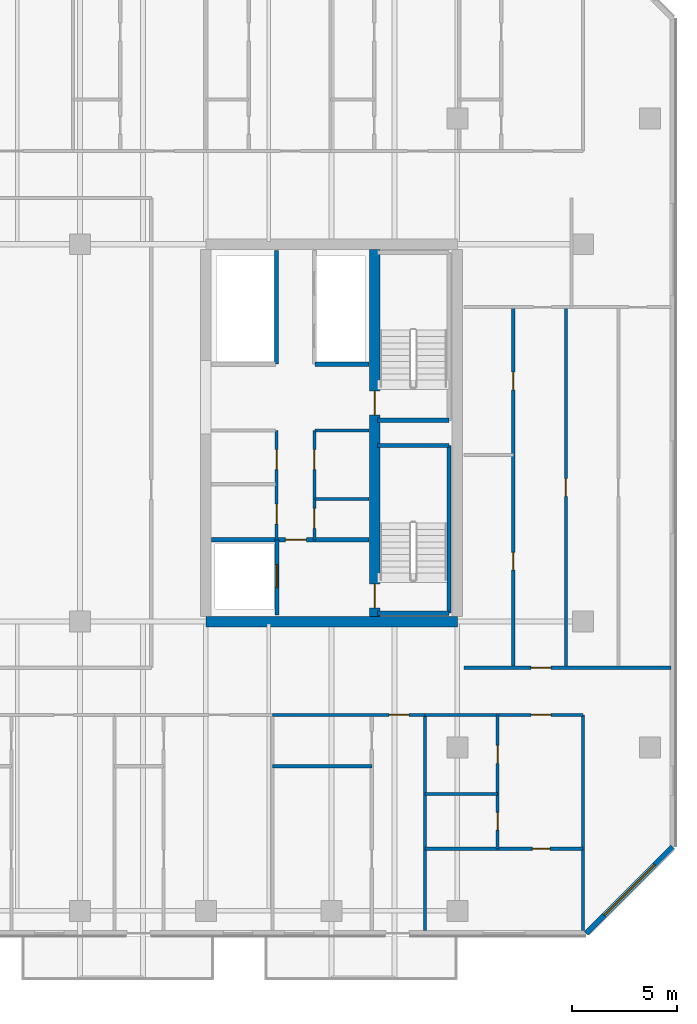
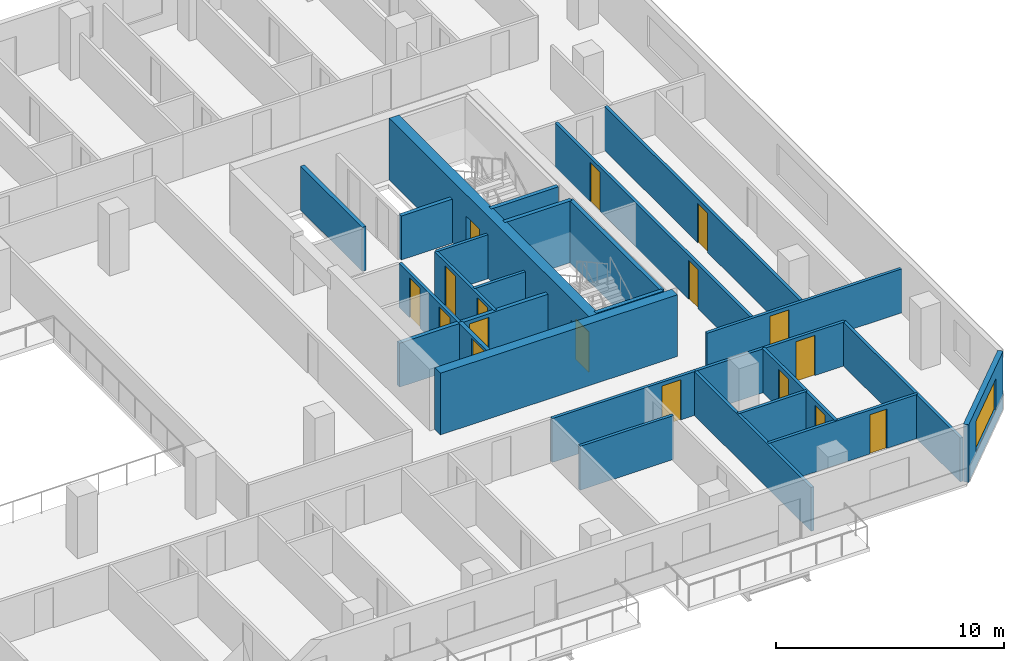
# One storey, part 15 of 23: 26 walls, 17 doors, 1 window, 18 openings.
"""IFC4 building model written with IfcOpenShell, lengths in metres."""

from ifc_helpers import new_model, si_unit, direction, frame, frame_2d, origin, place, context, subcontext, project, spatial, rectangle, extrude, material, layer, layer_set, type_object, element, fill, save


model = new_model("IFC4")

# Units and contexts
model_context = context("Model", 3, precision=1e-05, world=origin(), true_north=direction((0.0, 1.0)))
body_context = subcontext(model_context, "Body", "Model", "MODEL_VIEW")
ifc_project = project(units=[si_unit("LENGTHUNIT", "METRE"), si_unit("AREAUNIT", "SQUARE_METRE"), si_unit("VOLUMEUNIT", "CUBIC_METRE"), si_unit("PLANEANGLEUNIT", "RADIAN"), si_unit("MASSUNIT", "GRAM", prefix="KILO")], contexts=[model_context])

# Site, building, storey
site_placement = place(None, origin())
site = spatial("IfcSite", under=ifc_project, at=site_placement, CompositionType="ELEMENT")
building_placement = place(site_placement, origin())
building = spatial("IfcBuilding", under=site, at=building_placement, Name="Tanjung Sevakor Pilgrim Tower", CompositionType="ELEMENT")
storey_placement = place(building_placement, frame((0.0, 0.0, 98.669921875)))
storey = spatial("IfcBuildingStorey", under=building, at=storey_placement, Name="L27", CompositionType="ELEMENT", Elevation=98.669921875)

# Wall
ifc_material_1 = material(Name="Concrete C60/75", Category="concrete")
ifc_layer_1 = layer(ifc_material_1, 0.5)
ifc_layer_set_1 = layer_set([ifc_layer_1], Name="WALL-CW-500")
wall_type_1 = type_object("IfcWallType", Name="WALL-CW-500", PredefinedType="SHEAR", material=ifc_layer_set_1)
wall_1_placement = place(storey_placement, frame((78.0, 24.60009765625, 0.0), z_axis=(0.0, 0.0, 1.0), x_axis=(1.0, 0.0, 0.0)))
element("IfcWall", 1, at=wall_1_placement, inside=storey, type_object=wall_type_1, Name="L27 E Core South Shear Wall", PredefinedType="SHEAR", context=body_context, shape_type="SweptSolid", body=[
    extrude(rectangle(XDim=12.0, YDim=0.5, at=frame_2d((6.0, 0.0))), origin(), (0.0, 0.0, 1.0), 3.300048828125),
])

# Wall, openings, doors
wall_2_placement = place(storey_placement, frame((86.050048828125, 24.85009765625, 0.0), z_axis=(0.0, 0.0, 1.0), x_axis=(0.0, 1.0, 0.0)))
wall_2 = element("IfcWall", 2, at=wall_2_placement, inside=storey, type_object=wall_type_1, Name="L27 E Core Stair Spine Wall", PredefinedType="SHEAR", context=body_context, shape_type="SweptSolid", body=[
    extrude(rectangle(XDim=17.5, YDim=0.5, at=frame_2d((8.75, 0.0))), origin(), (0.0, 0.0, 1.0), 3.300048828125),
])
opening_1_placement = place(wall_2_placement, frame((0.39990234375, 0.0, 0.0)))
opening_1 = element("IfcOpeningElement", 3, at=opening_1_placement, cuts=wall_2, Name="Opening ID-ST1", PredefinedType="OPENING", context=body_context, shape_type="SweptSolid", body=[
    extrude(rectangle(XDim=1.14990234375, YDim=2.14990234375, at=frame_2d((0.574951171875, 1.074951171875))), frame((0.0, 0.260009765625, 0.0), z_axis=(0.0, -1.0, 0.0), x_axis=(1.0, 0.0, 0.0)), (0.0, 0.0, 1.0), 0.52001953125),
])
opening_2_placement = place(wall_2_placement, frame((9.60009765625, 0.0, 0.0)))
opening_2 = element("IfcOpeningElement", 4, at=opening_2_placement, cuts=wall_2, Name="Opening ID-ST1", PredefinedType="OPENING", context=body_context, shape_type="SweptSolid", body=[
    extrude(rectangle(XDim=1.14990234375, YDim=2.14990234375, at=frame_2d((0.574951171875, 1.074951171875))), frame((0.0, 0.260009765625, 0.0), z_axis=(0.0, -1.0, 0.0), x_axis=(1.0, 0.0, 0.0)), (0.0, 0.0, 1.0), 0.52001953125),
])
ifc_material_2 = material(Name="Fire-Rated Steel S355J2", Category="steel")
door_type_1 = type_object("IfcDoorType", Name="DT-FIRE-1150", OperationType="NOTDEFINED", PredefinedType="DOOR", material=ifc_material_2)
door_1_placement = place(opening_1_placement, origin())
door_1 = element("IfcDoor", 5, at=door_1_placement, inside=storey, type_object=door_type_1, Name="L27 TS-E1 Stair Fire Door", OperationType="SINGLE_SWING_RIGHT", OverallHeight=2.14990234375, OverallWidth=1.14990234375, PredefinedType="DOOR", context=body_context, shape_type="SweptSolid", body=[
    extrude(rectangle(XDim=1.14990234375, YDim=2.14990234375, at=frame_2d((0.574951171875, 1.074951171875))), frame((0.0, 0.02490234375, 0.0), z_axis=(0.0, -1.0, 0.0), x_axis=(1.0, 0.0, 0.0)), (0.0, 0.0, 1.0), 0.050048828125),
])
fill(opening_1, door_1)
door_2_placement = place(opening_2_placement, origin())
door_2 = element("IfcDoor", 6, at=door_2_placement, inside=storey, type_object=door_type_1, Name="L27 TS-E2 Stair Fire Door", OperationType="SINGLE_SWING_LEFT", OverallHeight=2.14990234375, OverallWidth=1.14990234375, PredefinedType="DOOR", context=body_context, shape_type="SweptSolid", body=[
    extrude(rectangle(XDim=1.14990234375, YDim=2.14990234375, at=frame_2d((0.574951171875, 1.074951171875))), frame((0.0, 0.02490234375, 0.0), z_axis=(0.0, -1.0, 0.0), x_axis=(1.0, 0.0, 0.0)), (0.0, 0.0, 1.0), 0.050048828125),
])
fill(opening_2, door_2)

# Walls
ifc_material_3 = material(Name="Concrete C40/50", Category="concrete")
ifc_layer_2 = layer(ifc_material_3, 0.14990234375)
ifc_layer_set_2 = layer_set([ifc_layer_2], Name="WT-COMP-150")
wall_type_2 = type_object("IfcWallType", Name="WT-COMP-150", PredefinedType="SOLIDWALL", material=ifc_layer_set_2)
for number, where, z_axis, x_axis, name in (
    (7, (83.199951171875, 30.449951171875, 0.0), (0.0, 0.0, 1.0), (1.0, 0.0, 0.0), "L27 Partition IW-L27-015"),
    (8, (83.199951171875, 33.719970703125, 0.0), (0.0, 0.0, 1.0), (1.0, 0.0, 0.0), "L27 Partition IW-L27-016"),
):
    element("IfcWall", number, at=place(storey_placement, frame(where, z_axis=z_axis, x_axis=x_axis)), inside=storey, type_object=wall_type_2, Name=name, PredefinedType="SOLIDWALL", context=body_context, shape_type="SweptSolid", body=[
        extrude(rectangle(XDim=2.580078125, YDim=0.14990234375, at=frame_2d((1.2900390625, 0.0))), origin(), (0.0, 0.0, 1.0), 2.35009765625),
    ])

# Wall, openings, doors
wall_3_placement = place(storey_placement, frame((83.179931640625, 28.5, 0.0), z_axis=(0.0, 0.0, 1.0), x_axis=(0.0, 1.0, 0.0)))
wall_3 = element("IfcWall", 9, at=wall_3_placement, inside=storey, type_object=wall_type_2, Name="L27 Partition IW-L27-017", PredefinedType="SOLIDWALL", context=body_context, shape_type="SweptSolid", body=[
    extrude(rectangle(XDim=5.219970703125, YDim=0.14990234375, at=frame_2d((2.60986328125, 0.0))), origin(), (0.0, 0.0, 1.0), 2.35009765625),
])
opening_3_placement = place(wall_3_placement, frame((0.550048828125, 0.0, 0.0)))
opening_3 = element("IfcOpeningElement", 10, at=opening_3_placement, cuts=wall_3, Name="Opening ID-FD2", PredefinedType="OPENING", context=body_context, shape_type="SweptSolid", body=[
    extrude(rectangle(XDim=0.949951171875, YDim=2.14990234375, at=frame_2d((0.47509765625, 1.074951171875))), frame((0.0, 0.0849609375, 0.0), z_axis=(0.0, -1.0, 0.0), x_axis=(1.0, 0.0, 0.0)), (0.0, 0.0, 1.0), 0.169921875),
])
opening_4_placement = place(wall_3_placement, frame((3.35009765625, 0.0, 0.0)))
opening_4 = element("IfcOpeningElement", 11, at=opening_4_placement, cuts=wall_3, Name="Opening ID-FD2", PredefinedType="OPENING", context=body_context, shape_type="SweptSolid", body=[
    extrude(rectangle(XDim=0.949951171875, YDim=2.14990234375, at=frame_2d((0.47509765625, 1.074951171875))), frame((0.0, 0.0849609375, 0.0), z_axis=(0.0, -1.0, 0.0), x_axis=(1.0, 0.0, 0.0)), (0.0, 0.0, 1.0), 0.169921875),
])
ifc_material_4 = material(Name="Fire-Rated Timber", Category="wood")
door_type_2 = type_object("IfcDoorType", Name="DT-FIRE-950", OperationType="NOTDEFINED", PredefinedType="DOOR", material=ifc_material_4)
door_3_placement = place(opening_3_placement, origin())
door_3 = element("IfcDoor", 12, at=door_3_placement, inside=storey, type_object=door_type_2, Name="L27 Cleaner Store Door", OperationType="SINGLE_SWING_LEFT", OverallHeight=2.14990234375, OverallWidth=0.949951171875, PredefinedType="DOOR", context=body_context, shape_type="SweptSolid", body=[
    extrude(rectangle(XDim=0.949951171875, YDim=2.14990234375, at=frame_2d((0.47509765625, 1.074951171875))), frame((0.0, 0.02490234375, 0.0), z_axis=(0.0, -1.0, 0.0), x_axis=(1.0, 0.0, 0.0)), (0.0, 0.0, 1.0), 0.050048828125),
])
fill(opening_3, door_3)
door_4_placement = place(opening_4_placement, origin())
door_4 = element("IfcDoor", 13, at=door_4_placement, inside=storey, type_object=door_type_2, Name="L27 Housekeeping Pantry Door", OperationType="SINGLE_SWING_RIGHT", OverallHeight=2.14990234375, OverallWidth=0.949951171875, PredefinedType="DOOR", context=body_context, shape_type="SweptSolid", body=[
    extrude(rectangle(XDim=0.949951171875, YDim=2.14990234375, at=frame_2d((0.47509765625, 1.074951171875))), frame((0.0, 0.02490234375, 0.0), z_axis=(0.0, -1.0, 0.0), x_axis=(1.0, 0.0, 0.0)), (0.0, 0.0, 1.0), 0.050048828125),
])
fill(opening_4, door_4)

wall_4_placement = place(storey_placement, frame((81.3798828125, 28.5, 0.0), z_axis=(0.0, 0.0, 1.0), x_axis=(0.0, 1.0, 0.0)))
wall_4 = element("IfcWall", 14, at=wall_4_placement, inside=storey, type_object=wall_type_2, Name="L27 Partition IW-L27-020", PredefinedType="SOLIDWALL", context=body_context, shape_type="SweptSolid", body=[
    extrude(rectangle(XDim=5.219970703125, YDim=0.14990234375, at=frame_2d((2.60986328125, 0.0))), origin(), (0.0, 0.0, 1.0), 2.35009765625),
])
opening_5_placement = place(wall_4_placement, frame((0.75, 0.0, 0.0)))
opening_5 = element("IfcOpeningElement", 15, at=opening_5_placement, cuts=wall_4, Name="Opening ID-FD2", PredefinedType="OPENING", context=body_context, shape_type="SweptSolid", body=[
    extrude(rectangle(XDim=0.949951171875, YDim=2.14990234375, at=frame_2d((0.47509765625, 1.074951171875))), frame((0.0, 0.0849609375, 0.0), z_axis=(0.0, -1.0, 0.0), x_axis=(1.0, 0.0, 0.0)), (0.0, 0.0, 1.0), 0.169921875),
])
opening_6_placement = place(wall_4_placement, frame((3.35009765625, 0.0, 0.0)))
opening_6 = element("IfcOpeningElement", 16, at=opening_6_placement, cuts=wall_4, Name="Opening ID-FD2", PredefinedType="OPENING", context=body_context, shape_type="SweptSolid", body=[
    extrude(rectangle(XDim=0.949951171875, YDim=2.14990234375, at=frame_2d((0.47509765625, 1.074951171875))), frame((0.0, 0.0849609375, 0.0), z_axis=(0.0, -1.0, 0.0), x_axis=(1.0, 0.0, 0.0)), (0.0, 0.0, 1.0), 0.169921875),
])
door_5_placement = place(opening_5_placement, origin())
door_5 = element("IfcDoor", 17, at=door_5_placement, inside=storey, type_object=door_type_2, Name="L27 Accessible WC Door", OperationType="SINGLE_SWING_LEFT", OverallHeight=2.14990234375, OverallWidth=0.949951171875, PredefinedType="DOOR", context=body_context, shape_type="SweptSolid", body=[
    extrude(rectangle(XDim=0.949951171875, YDim=2.14990234375, at=frame_2d((0.47509765625, 1.074951171875))), frame((0.0, 0.02490234375, 0.0), z_axis=(0.0, -1.0, 0.0), x_axis=(1.0, 0.0, 0.0)), (0.0, 0.0, 1.0), 0.050048828125),
])
fill(opening_5, door_5)
door_6_placement = place(opening_6_placement, origin())
door_6 = element("IfcDoor", 18, at=door_6_placement, inside=storey, type_object=door_type_2, Name="L27 Core Service Door", OperationType="SINGLE_SWING_RIGHT", OverallHeight=2.14990234375, OverallWidth=0.949951171875, PredefinedType="DOOR", context=body_context, shape_type="SweptSolid", body=[
    extrude(rectangle(XDim=0.949951171875, YDim=2.14990234375, at=frame_2d((0.47509765625, 1.074951171875))), frame((0.0, 0.02490234375, 0.0), z_axis=(0.0, -1.0, 0.0), x_axis=(1.0, 0.0, 0.0)), (0.0, 0.0, 1.0), 0.050048828125),
])
fill(opening_6, door_6)

# Wall, opening, door
wall_5_placement = place(storey_placement, frame((90.320068359375, 22.39990234375, 0.0), z_axis=(0.0, 0.0, 1.0), x_axis=(1.0, 0.0, 0.0)))
wall_5 = element("IfcWall", 19, at=wall_5_placement, inside=storey, type_object=wall_type_2, Name="L27 Partition IW-L27-040", PredefinedType="SOLIDWALL", context=body_context, shape_type="SweptSolid", body=[
    extrude(rectangle(XDim=9.869873046875, YDim=0.14990234375, at=frame_2d((4.93505859375, 0.0))), origin(), (0.0, 0.0, 1.0), 2.35009765625),
])
opening_7_placement = place(wall_5_placement, frame((3.193359375, 0.0, 0.0)))
opening_7 = element("IfcOpeningElement", 20, at=opening_7_placement, cuts=wall_5, Name="Opening ID-FD2", PredefinedType="OPENING", context=body_context, shape_type="SweptSolid", body=[
    extrude(rectangle(XDim=0.949951171875, YDim=2.14990234375, at=frame_2d((0.47509765625, 1.074951171875))), frame((0.0, 0.0849609375, 0.0), z_axis=(0.0, -1.0, 0.0), x_axis=(1.0, 0.0, 0.0)), (0.0, 0.0, 1.0), 0.169921875),
])
door_7_placement = place(opening_7_placement, origin())
door_7 = element("IfcDoor", 21, at=door_7_placement, inside=storey, type_object=door_type_2, Name="Suite Entrance", OperationType="SINGLE_SWING_RIGHT", OverallHeight=2.14990234375, OverallWidth=0.949951171875, PredefinedType="DOOR", context=body_context, shape_type="SweptSolid", body=[
    extrude(rectangle(XDim=0.949951171875, YDim=2.14990234375, at=frame_2d((0.47509765625, 1.074951171875))), frame((0.0, 0.02490234375, 0.0), z_axis=(0.0, -1.0, 0.0), x_axis=(1.0, 0.0, 0.0)), (0.0, 0.0, 1.0), 0.050048828125),
])
fill(opening_7, door_7)

# Walls
for number, where, z_axis, x_axis, name in (
    (22, (96.0, 9.85009765625, 0.0), (0.0, 0.0, 1.0), (0.0, 1.0, 0.0), "L27 Partition IW-L27-057"),
    (23, (88.453857421875, 9.85009765625, 0.0), (0.0, 0.0, 1.0), (0.0, 1.0, 0.0), "L27 Partition IW-L27-072"),
):
    element("IfcWall", number, at=place(storey_placement, frame(where, z_axis=z_axis, x_axis=x_axis)), inside=storey, type_object=wall_type_2, Name=name, PredefinedType="SOLIDWALL", context=body_context, shape_type="SweptSolid", body=[
        extrude(rectangle(XDim=10.2998046875, YDim=0.14990234375, at=frame_2d((5.14990234375, 0.0))), origin(), (0.0, 0.0, 1.0), 2.35009765625),
    ])

# Wall, opening, door
wall_6_placement = place(storey_placement, frame((81.18701171875, 20.14990234375, 0.0), z_axis=(0.0, 0.0, 1.0), x_axis=(1.0, 0.0, 0.0)))
wall_6 = element("IfcWall", 24, at=wall_6_placement, inside=storey, type_object=wall_type_2, Name="L27 Partition IW-L27-075", PredefinedType="SOLIDWALL", context=body_context, shape_type="SweptSolid", body=[
    extrude(rectangle(XDim=7.266845703125, YDim=0.14990234375, at=frame_2d((3.63330078125, 0.0))), origin(), (0.0, 0.0, 1.0), 2.35009765625),
])
opening_8_placement = place(wall_6_placement, frame((5.56494140625, 0.0, 0.0)))
opening_8 = element("IfcOpeningElement", 25, at=opening_8_placement, cuts=wall_6, Name="Opening ID-FD2", PredefinedType="OPENING", context=body_context, shape_type="SweptSolid", body=[
    extrude(rectangle(XDim=0.949951171875, YDim=2.14990234375, at=frame_2d((0.47509765625, 1.074951171875))), frame((0.0, 0.0849609375, 0.0), z_axis=(0.0, -1.0, 0.0), x_axis=(1.0, 0.0, 0.0)), (0.0, 0.0, 1.0), 0.169921875),
])
door_8_placement = place(opening_8_placement, origin())
door_8 = element("IfcDoor", 26, at=door_8_placement, inside=storey, type_object=door_type_2, Name="Hostel Quad Entrance", OperationType="SINGLE_SWING_RIGHT", OverallHeight=2.14990234375, OverallWidth=0.949951171875, PredefinedType="DOOR", context=body_context, shape_type="SweptSolid", body=[
    extrude(rectangle(XDim=0.949951171875, YDim=2.14990234375, at=frame_2d((0.47509765625, 1.074951171875))), frame((0.0, 0.02490234375, 0.0), z_axis=(0.0, -1.0, 0.0), x_axis=(1.0, 0.0, 0.0)), (0.0, 0.0, 1.0), 0.050048828125),
])
fill(opening_8, door_8)

wall_7_placement = place(storey_placement, frame((88.453857421875, 20.14990234375, 0.0), z_axis=(0.0, 0.0, 1.0), x_axis=(1.0, 0.0, 0.0)))
wall_7 = element("IfcWall", 27, at=wall_7_placement, inside=storey, type_object=wall_type_2, Name="L27 Partition IW-L27-079", PredefinedType="SOLIDWALL", context=body_context, shape_type="SweptSolid", body=[
    extrude(rectangle(XDim=7.546142578125, YDim=0.14990234375, at=frame_2d((3.77294921875, 0.0))), origin(), (0.0, 0.0, 1.0), 2.35009765625),
])
opening_9_placement = place(wall_7_placement, frame((5.0712890625, 0.0, 0.0)))
opening_9 = element("IfcOpeningElement", 28, at=opening_9_placement, cuts=wall_7, Name="Opening ID-FD2", PredefinedType="OPENING", context=body_context, shape_type="SweptSolid", body=[
    extrude(rectangle(XDim=0.949951171875, YDim=2.14990234375, at=frame_2d((0.47509765625, 1.074951171875))), frame((0.0, 0.0849609375, 0.0), z_axis=(0.0, -1.0, 0.0), x_axis=(1.0, 0.0, 0.0)), (0.0, 0.0, 1.0), 0.169921875),
])
door_9_placement = place(opening_9_placement, origin())
door_9 = element("IfcDoor", 29, at=door_9_placement, inside=storey, type_object=door_type_2, Name="Residence Entrance", OperationType="SINGLE_SWING_RIGHT", OverallHeight=2.14990234375, OverallWidth=0.949951171875, PredefinedType="DOOR", context=body_context, shape_type="SweptSolid", body=[
    extrude(rectangle(XDim=0.949951171875, YDim=2.14990234375, at=frame_2d((0.47509765625, 1.074951171875))), frame((0.0, 0.02490234375, 0.0), z_axis=(0.0, -1.0, 0.0), x_axis=(1.0, 0.0, 0.0)), (0.0, 0.0, 1.0), 0.050048828125),
])
fill(opening_9, door_9)

# Wall, opening, window
ifc_material_5 = material(Name="Precast concrete C45/55", Category="concrete")
ifc_layer_3 = layer(ifc_material_5, 0.25)
ifc_layer_set_3 = layer_set([ifc_layer_3], Name="WT-EW-STN3")
wall_type_3 = type_object("IfcWallType", Name="WT-EW-STN3", PredefinedType="SOLIDWALL", material=ifc_layer_set_3)
wall_8_placement = place(storey_placement, frame((96.148193359375, 9.72509765625, 0.0), z_axis=(0.0, 0.0, 1.0), x_axis=(0.707106781187, 0.707106781187, 0.0)))
wall_8 = element("IfcWall", 30, at=wall_8_placement, inside=storey, type_object=wall_type_3, Name="L27 MAIN Sculpted Corner Wall 5", PredefinedType="SOLIDWALL", context=body_context, shape_type="SweptSolid", body=[
    extrude(rectangle(XDim=5.8359375, YDim=0.25, at=frame_2d((2.91796875, 0.0))), origin(), (0.0, 0.0, 1.0), 3.080078125),
])
opening_10_placement = place(wall_8_placement, frame((1.218017578125, 0.0, 0.780029296875)))
opening_10 = element("IfcOpeningElement", 31, at=opening_10_placement, cuts=wall_8, Name="Opening WN-CHM-1660", PredefinedType="OPENING", context=body_context, shape_type="SweptSolid", body=[
    extrude(rectangle(XDim=3.39990234375, YDim=1.659912109375, at=frame_2d((1.699951171875, 0.830078125))), frame((0.0, 0.135009765625, 0.0), z_axis=(0.0, -1.0, 0.0), x_axis=(1.0, 0.0, 0.0)), (0.0, 0.0, 1.0), 0.27001953125),
])
ifc_material_6 = material(Name="Thermally Broken Aluminium and Low-E Glass", Category="aluminium")
window_type = type_object("IfcWindowType", Name="WTYP-WN-CHM-1660", PartitioningType="DOUBLE_PANEL_VERTICAL", PredefinedType="WINDOW", material=ifc_material_6)
window_placement = place(opening_10_placement, origin())
window = element("IfcWindow", 32, at=window_placement, inside=storey, type_object=window_type, Name="L27 Facade Window 01", OverallHeight=1.659912109375, OverallWidth=3.39990234375, PartitioningType="SINGLE_PANEL", PredefinedType="WINDOW", context=body_context, shape_type="SweptSolid", body=[
    extrude(rectangle(XDim=3.39990234375, YDim=1.659912109375, at=frame_2d((1.699951171875, 0.830078125))), frame((0.0, 0.030029296875, 0.0), z_axis=(0.0, -1.0, 0.0), x_axis=(1.0, 0.0, 0.0)), (0.0, 0.0, 1.0), 0.06005859375),
])
fill(opening_10, window)

# Walls
ifc_material_7 = material(Name="Concrete C40/50", Category="concrete")
ifc_layer_4 = layer(ifc_material_7, 0.199951171875)
ifc_layer_set_4 = layer_set([ifc_layer_4], Name="WT-FIRE-200")
wall_type_4 = type_object("IfcWallType", Name="WT-FIRE-200", PredefinedType="SOLIDWALL", material=ifc_layer_set_4)
wall_9_placement = place(storey_placement, frame((86.199951171875, 25.0, 0.0), z_axis=(0.0, 0.0, 1.0), x_axis=(1.0, 0.0, 0.0)))
element("IfcWall", 33, at=wall_9_placement, inside=storey, type_object=wall_type_4, Name="L27 TS-E1 Shaft Wall 1", PredefinedType="SOLIDWALL", context=body_context, shape_type="SweptSolid", body=[
    extrude(rectangle(XDim=3.400146484375, YDim=0.199951171875, at=frame_2d((1.7001953125, 0.0))), origin(), (0.0, 0.0, 1.0), 3.300048828125),
])
wall_10_placement = place(storey_placement, frame((89.60009765625, 25.0, 0.0), z_axis=(0.0, 0.0, 1.0), x_axis=(0.0, 1.0, 0.0)))
element("IfcWall", 34, at=wall_10_placement, inside=storey, type_object=wall_type_4, Name="L27 TS-E1 Shaft Wall 2", PredefinedType="SOLIDWALL", context=body_context, shape_type="SweptSolid", body=[
    extrude(rectangle(XDim=8.0, YDim=0.199951171875, at=frame_2d((4.0, 0.0))), origin(), (0.0, 0.0, 1.0), 3.300048828125),
])
for number, where, z_axis, x_axis, name in (
    (35, (89.60009765625, 33.0, 0.0), (0.0, 0.0, 1.0), (-1.0, 0.0, 0.0), "L27 TS-E1 Shaft Wall 3"),
    (36, (86.199951171875, 34.199951171875, 0.0), (0.0, 0.0, 1.0), (1.0, 0.0, 0.0), "L27 TS-E2 Shaft Wall 1"),
):
    element("IfcWall", number, at=place(storey_placement, frame(where, z_axis=z_axis, x_axis=x_axis)), inside=storey, type_object=wall_type_4, Name=name, PredefinedType="SOLIDWALL", context=body_context, shape_type="SweptSolid", body=[
        extrude(rectangle(XDim=3.400146484375, YDim=0.199951171875, at=frame_2d((1.7001953125, 0.0))), origin(), (0.0, 0.0, 1.0), 3.300048828125),
    ])

# Wall, opening, door
ifc_material_8 = material(Name="Concrete C40/50", Category="concrete")
ifc_layer_5 = layer(ifc_material_8, 0.199951171875)
ifc_layer_set_5 = layer_set([ifc_layer_5], Name="WT-FPRT-200")
wall_type_5 = type_object("IfcWallType", Name="WT-FPRT-200", PredefinedType="SOLIDWALL", material=ifc_layer_set_5)
wall_11_placement = place(storey_placement, frame((81.39990234375, 24.919921875, 0.0), z_axis=(0.0, 0.0, 1.0), x_axis=(0.0, 1.0, 0.0)))
wall_11 = element("IfcWall", 37, at=wall_11_placement, inside=storey, type_object=wall_type_5, Name="L27 Partition IW-L27-013", PredefinedType="SOLIDWALL", context=body_context, shape_type="SweptSolid", body=[
    extrude(rectangle(XDim=3.580078125, YDim=0.199951171875, at=frame_2d((1.7900390625, 0.0))), origin(), (0.0, 0.0, 1.0), 2.35009765625),
])
opening_11_placement = place(wall_11_placement, frame((1.300048828125, 0.0, 0.0)))
opening_11 = element("IfcOpeningElement", 38, at=opening_11_placement, cuts=wall_11, Name="Opening LD-1100", PredefinedType="OPENING", context=body_context, shape_type="SweptSolid", body=[
    extrude(rectangle(XDim=1.10009765625, YDim=2.199951171875, at=frame_2d((0.550048828125, 1.10009765625))), frame((0.0, 0.10986328125, 0.0), z_axis=(0.0, -1.0, 0.0), x_axis=(1.0, 0.0, 0.0)), (0.0, 0.0, 1.0), 0.219970703125),
])
ifc_material_9 = material(Name="Brushed Stainless Steel S355J2", Category="steel")
door_type_3 = type_object("IfcDoorType", Name="DT-LIFT-1100", OperationType="SLIDING_TO_LEFT", PredefinedType="DOOR", material=ifc_material_9)
door_10_placement = place(opening_11_placement, origin())
door_10 = element("IfcDoor", 39, at=door_10_placement, inside=storey, type_object=door_type_3, Name="LD-FL-E", OperationType="SLIDING_TO_LEFT", OverallHeight=2.199951171875, OverallWidth=1.10009765625, PredefinedType="DOOR", context=body_context, shape_type="SweptSolid", body=[
    extrude(rectangle(XDim=1.10009765625, YDim=2.199951171875, at=frame_2d((0.550048828125, 1.10009765625))), frame((0.0, 0.02490234375, 0.0), z_axis=(0.0, -1.0, 0.0), x_axis=(1.0, 0.0, 0.0)), (0.0, 0.0, 1.0), 0.050048828125),
])
fill(opening_11, door_10)

wall_12_placement = place(storey_placement, frame((78.27001953125, 28.5, 0.0), z_axis=(0.0, 0.0, 1.0), x_axis=(1.0, 0.0, 0.0)))
wall_12 = element("IfcWall", 40, at=wall_12_placement, inside=storey, type_object=wall_type_5, Name="L27 Partition IW-L27-014", PredefinedType="SOLIDWALL", context=body_context, shape_type="SweptSolid", body=[
    extrude(rectangle(XDim=7.510009765625, YDim=0.199951171875, at=frame_2d((3.7548828125, 0.0))), origin(), (0.0, 0.0, 1.0), 2.35009765625),
])
opening_12_placement = place(wall_12_placement, frame((3.530029296875, 0.0, 0.0)))
opening_12 = element("IfcOpeningElement", 41, at=opening_12_placement, cuts=wall_12, Name="Opening ID-FD1", PredefinedType="OPENING", context=body_context, shape_type="SweptSolid", body=[
    extrude(rectangle(XDim=1.0, YDim=2.14990234375, at=frame_2d((0.5, 1.074951171875))), frame((0.0, 0.10986328125, 0.0), z_axis=(0.0, -1.0, 0.0), x_axis=(1.0, 0.0, 0.0)), (0.0, 0.0, 1.0), 0.219970703125),
])
ifc_material_10 = material(Name="Fire-Rated Steel S355J2", Category="steel")
door_type_4 = type_object("IfcDoorType", Name="DT-FIRE-1000", OperationType="NOTDEFINED", PredefinedType="DOOR", material=ifc_material_10)
door_11_placement = place(opening_12_placement, origin())
door_11 = element("IfcDoor", 42, at=door_11_placement, inside=storey, type_object=door_type_4, Name="Fire Lobby Door E", OperationType="SINGLE_SWING_RIGHT", OverallHeight=2.14990234375, OverallWidth=1.0, PredefinedType="DOOR", context=body_context, shape_type="SweptSolid", body=[
    extrude(rectangle(XDim=1.0, YDim=2.14990234375, at=frame_2d((0.5, 1.074951171875))), frame((0.0, 0.02490234375, 0.0), z_axis=(0.0, -1.0, 0.0), x_axis=(1.0, 0.0, 0.0)), (0.0, 0.0, 1.0), 0.050048828125),
])
fill(opening_12, door_11)

# Walls
wall_13_placement = place(storey_placement, frame((83.199951171875, 36.8798828125, 0.0), z_axis=(0.0, 0.0, 1.0), x_axis=(1.0, 0.0, 0.0)))
element("IfcWall", 43, at=wall_13_placement, inside=storey, type_object=wall_type_5, Name="L27 Partition IW-L27-021", PredefinedType="SOLIDWALL", context=body_context, shape_type="SweptSolid", body=[
    extrude(rectangle(XDim=2.580078125, YDim=0.199951171875, at=frame_2d((1.2900390625, 0.0))), origin(), (0.0, 0.0, 1.0), 2.35009765625),
])
wall_14_placement = place(storey_placement, frame((81.3798828125, 36.8798828125, 0.0), z_axis=(0.0, 0.0, 1.0), x_axis=(0.0, 1.0, 0.0)))
element("IfcWall", 44, at=wall_14_placement, inside=storey, type_object=wall_type_5, Name="L27 Partition IW-L27-024", PredefinedType="SOLIDWALL", context=body_context, shape_type="SweptSolid", body=[
    extrude(rectangle(XDim=5.420166015625, YDim=0.199951171875, at=frame_2d((2.7099609375, 0.0))), origin(), (0.0, 0.0, 1.0), 2.35009765625),
])

# Wall, opening, door
ifc_material_11 = material(Name="Gypsum Board Partition", Category="gypsum board")
ifc_layer_6 = layer(ifc_material_11, 0.14990234375)
ifc_layer_set_6 = layer_set([ifc_layer_6], Name="WT-PART-150")
wall_type_6 = type_object("IfcWallType", Name="WT-PART-150", PredefinedType="PARTITIONING", material=ifc_layer_set_6)
wall_15_placement = place(storey_placement, frame((95.1767578125, 22.39990234375, 0.0), z_axis=(0.0, 0.0, 1.0), x_axis=(0.0, 1.0, 0.0)))
wall_15 = element("IfcWall", 45, at=wall_15_placement, inside=storey, type_object=wall_type_6, Name="L27 Partition IW-L27-034", PredefinedType="PARTITIONING", context=body_context, shape_type="SweptSolid", body=[
    extrude(rectangle(XDim=17.2001953125, YDim=0.14990234375, at=frame_2d((8.60009765625, 0.0))), origin(), (0.0, 0.0, 1.0), 2.35009765625),
])
opening_13_placement = place(wall_15_placement, frame((8.175048828125, 0.0, 0.0)))
opening_13 = element("IfcOpeningElement", 46, at=opening_13_placement, cuts=wall_15, Name="Opening ID-WC1", PredefinedType="OPENING", context=body_context, shape_type="SweptSolid", body=[
    extrude(rectangle(XDim=0.85009765625, YDim=2.10009765625, at=frame_2d((0.425048828125, 1.050048828125))), frame((0.0, 0.0849609375, 0.0), z_axis=(0.0, -1.0, 0.0), x_axis=(1.0, 0.0, 0.0)), (0.0, 0.0, 1.0), 0.169921875),
])
ifc_material_12 = material(Name="Moisture-Resistant Timber", Category="wood")
door_type_5 = type_object("IfcDoorType", Name="DT-INT-850", OperationType="NOTDEFINED", PredefinedType="DOOR", material=ifc_material_12)
door_12_placement = place(opening_13_placement, origin())
door_12 = element("IfcDoor", 47, at=door_12_placement, inside=storey, type_object=door_type_5, Name="Suite Study Room Door", OperationType="SINGLE_SWING_RIGHT", OverallHeight=2.10009765625, OverallWidth=0.85009765625, PredefinedType="DOOR", context=body_context, shape_type="SweptSolid", body=[
    extrude(rectangle(XDim=0.85009765625, YDim=2.10009765625, at=frame_2d((0.425048828125, 1.050048828125))), frame((0.0, 0.02490234375, 0.0), z_axis=(0.0, -1.0, 0.0), x_axis=(1.0, 0.0, 0.0)), (0.0, 0.0, 1.0), 0.050048828125),
])
fill(opening_13, door_12)

# Wall, openings, doors
wall_16_placement = place(storey_placement, frame((92.669921875, 22.39990234375, 0.0), z_axis=(0.0, 0.0, 1.0), x_axis=(0.0, 1.0, 0.0)))
wall_16 = element("IfcWall", 48, at=wall_16_placement, inside=storey, type_object=wall_type_6, Name="L27 Partition IW-L27-037", PredefinedType="PARTITIONING", context=body_context, shape_type="SweptSolid", body=[
    extrude(rectangle(XDim=17.2001953125, YDim=0.14990234375, at=frame_2d((8.60009765625, 0.0))), origin(), (0.0, 0.0, 1.0), 2.35009765625),
])
opening_14_placement = place(wall_16_placement, frame((4.64892578125, 0.0, 0.0)))
opening_14 = element("IfcOpeningElement", 49, at=opening_14_placement, cuts=wall_16, Name="Opening ID-WC1", PredefinedType="OPENING", context=body_context, shape_type="SweptSolid", body=[
    extrude(rectangle(XDim=0.85009765625, YDim=2.10009765625, at=frame_2d((0.425048828125, 1.050048828125))), frame((0.0, 0.0849609375, 0.0), z_axis=(0.0, -1.0, 0.0), x_axis=(1.0, 0.0, 0.0)), (0.0, 0.0, 1.0), 0.169921875),
])
opening_15_placement = place(wall_16_placement, frame((13.2490234375, 0.0, 0.0)))
opening_15 = element("IfcOpeningElement", 50, at=opening_15_placement, cuts=wall_16, Name="Opening ID-WC1", PredefinedType="OPENING", context=body_context, shape_type="SweptSolid", body=[
    extrude(rectangle(XDim=0.85009765625, YDim=2.10009765625, at=frame_2d((0.425048828125, 1.050048828125))), frame((0.0, 0.0849609375, 0.0), z_axis=(0.0, -1.0, 0.0), x_axis=(1.0, 0.0, 0.0)), (0.0, 0.0, 1.0), 0.169921875),
])
door_13_placement = place(opening_14_placement, origin())
door_13 = element("IfcDoor", 51, at=door_13_placement, inside=storey, type_object=door_type_5, Name="Suite Kitchenette Door", OperationType="SINGLE_SWING_RIGHT", OverallHeight=2.10009765625, OverallWidth=0.85009765625, PredefinedType="DOOR", context=body_context, shape_type="SweptSolid", body=[
    extrude(rectangle(XDim=0.85009765625, YDim=2.10009765625, at=frame_2d((0.425048828125, 1.050048828125))), frame((0.0, 0.02490234375, 0.0), z_axis=(0.0, -1.0, 0.0), x_axis=(1.0, 0.0, 0.0)), (0.0, 0.0, 1.0), 0.050048828125),
])
fill(opening_14, door_13)
door_14_placement = place(opening_15_placement, origin())
door_14 = element("IfcDoor", 52, at=door_14_placement, inside=storey, type_object=door_type_5, Name="Suite Bathroom Door", OperationType="SINGLE_SWING_LEFT", OverallHeight=2.10009765625, OverallWidth=0.85009765625, PredefinedType="DOOR", context=body_context, shape_type="SweptSolid", body=[
    extrude(rectangle(XDim=0.85009765625, YDim=2.10009765625, at=frame_2d((0.425048828125, 1.050048828125))), frame((0.0, 0.02490234375, 0.0), z_axis=(0.0, -1.0, 0.0), x_axis=(1.0, 0.0, 0.0)), (0.0, 0.0, 1.0), 0.050048828125),
])
fill(opening_15, door_14)

# Walls
wall_17_placement = place(storey_placement, frame((81.18701171875, 17.699951171875, 0.0), z_axis=(0.0, 0.0, 1.0), x_axis=(1.0, 0.0, 0.0)))
element("IfcWall", 53, at=wall_17_placement, inside=storey, type_object=wall_type_6, Name="L27 Partition IW-L27-073", PredefinedType="PARTITIONING", context=body_context, shape_type="SweptSolid", body=[
    extrude(rectangle(XDim=4.73291015625, YDim=0.14990234375, at=frame_2d((2.366455078125, 0.0))), origin(), (0.0, 0.0, 1.0), 2.35009765625),
])
wall_18_placement = place(storey_placement, frame((88.453857421875, 16.37939453125, 0.0), z_axis=(0.0, 0.0, 1.0), x_axis=(1.0, 0.0, 0.0)))
element("IfcWall", 54, at=wall_18_placement, inside=storey, type_object=wall_type_6, Name="L27 Partition IW-L27-076", PredefinedType="PARTITIONING", context=body_context, shape_type="SweptSolid", body=[
    extrude(rectangle(XDim=3.466064453125, YDim=0.14990234375, at=frame_2d((1.73291015625, 0.0))), origin(), (0.0, 0.0, 1.0), 2.35009765625),
])

# Wall, openings, doors
wall_19_placement = place(storey_placement, frame((91.919921875, 13.75927734375, 0.0), z_axis=(0.0, 0.0, 1.0), x_axis=(0.0, 1.0, 0.0)))
wall_19 = element("IfcWall", 55, at=wall_19_placement, inside=storey, type_object=wall_type_6, Name="L27 Partition IW-L27-077", PredefinedType="PARTITIONING", context=body_context, shape_type="SweptSolid", body=[
    extrude(rectangle(XDim=6.390625, YDim=0.14990234375, at=frame_2d((3.1953125, 0.0))), origin(), (0.0, 0.0, 1.0), 2.35009765625),
])
opening_16_placement = place(wall_19_placement, frame((0.885009765625, 0.0, 0.0)))
opening_16 = element("IfcOpeningElement", 56, at=opening_16_placement, cuts=wall_19, Name="Opening ID-WC1", PredefinedType="OPENING", context=body_context, shape_type="SweptSolid", body=[
    extrude(rectangle(XDim=0.85009765625, YDim=2.10009765625, at=frame_2d((0.425048828125, 1.050048828125))), frame((0.0, 0.0849609375, 0.0), z_axis=(0.0, -1.0, 0.0), x_axis=(1.0, 0.0, 0.0)), (0.0, 0.0, 1.0), 0.169921875),
])
opening_17_placement = place(wall_19_placement, frame((4.080322265625, 0.0, 0.0)))
opening_17 = element("IfcOpeningElement", 57, at=opening_17_placement, cuts=wall_19, Name="Opening ID-WC1", PredefinedType="OPENING", context=body_context, shape_type="SweptSolid", body=[
    extrude(rectangle(XDim=0.85009765625, YDim=2.10009765625, at=frame_2d((0.425048828125, 1.050048828125))), frame((0.0, 0.0849609375, 0.0), z_axis=(0.0, -1.0, 0.0), x_axis=(1.0, 0.0, 0.0)), (0.0, 0.0, 1.0), 0.169921875),
])
door_15_placement = place(opening_16_placement, origin())
door_15 = element("IfcDoor", 58, at=door_15_placement, inside=storey, type_object=door_type_5, Name="Residence Bathroom Door", OperationType="SINGLE_SWING_LEFT", OverallHeight=2.10009765625, OverallWidth=0.85009765625, PredefinedType="DOOR", context=body_context, shape_type="SweptSolid", body=[
    extrude(rectangle(XDim=0.85009765625, YDim=2.10009765625, at=frame_2d((0.425048828125, 1.050048828125))), frame((0.0, 0.02490234375, 0.0), z_axis=(0.0, -1.0, 0.0), x_axis=(1.0, 0.0, 0.0)), (0.0, 0.0, 1.0), 0.050048828125),
])
fill(opening_16, door_15)
door_16_placement = place(opening_17_placement, origin())
door_16 = element("IfcDoor", 59, at=door_16_placement, inside=storey, type_object=door_type_5, Name="Residence Kitchenette Door", OperationType="SINGLE_SWING_RIGHT", OverallHeight=2.10009765625, OverallWidth=0.85009765625, PredefinedType="DOOR", context=body_context, shape_type="SweptSolid", body=[
    extrude(rectangle(XDim=0.85009765625, YDim=2.10009765625, at=frame_2d((0.425048828125, 1.050048828125))), frame((0.0, 0.02490234375, 0.0), z_axis=(0.0, -1.0, 0.0), x_axis=(1.0, 0.0, 0.0)), (0.0, 0.0, 1.0), 0.050048828125),
])
fill(opening_17, door_16)

# Wall, opening, door
wall_20_placement = place(storey_placement, frame((88.453857421875, 13.75927734375, 0.0), z_axis=(0.0, 0.0, 1.0), x_axis=(1.0, 0.0, 0.0)))
wall_20 = element("IfcWall", 60, at=wall_20_placement, inside=storey, type_object=wall_type_6, Name="L27 Partition IW-L27-078", PredefinedType="PARTITIONING", context=body_context, shape_type="SweptSolid", body=[
    extrude(rectangle(XDim=7.546142578125, YDim=0.14990234375, at=frame_2d((3.77294921875, 0.0))), origin(), (0.0, 0.0, 1.0), 2.35009765625),
])
opening_18_placement = place(wall_20_placement, frame((5.12109375, 0.0, 0.0)))
opening_18 = element("IfcOpeningElement", 61, at=opening_18_placement, cuts=wall_20, Name="Opening ID-WC1", PredefinedType="OPENING", context=body_context, shape_type="SweptSolid", body=[
    extrude(rectangle(XDim=0.85009765625, YDim=2.10009765625, at=frame_2d((0.425048828125, 1.050048828125))), frame((0.0, 0.0849609375, 0.0), z_axis=(0.0, -1.0, 0.0), x_axis=(1.0, 0.0, 0.0)), (0.0, 0.0, 1.0), 0.169921875),
])
door_17_placement = place(opening_18_placement, origin())
door_17 = element("IfcDoor", 62, at=door_17_placement, inside=storey, type_object=door_type_5, Name="Residence Bedroom Door", OperationType="SINGLE_SWING_LEFT", OverallHeight=2.10009765625, OverallWidth=0.85009765625, PredefinedType="DOOR", context=body_context, shape_type="SweptSolid", body=[
    extrude(rectangle(XDim=0.85009765625, YDim=2.10009765625, at=frame_2d((0.425048828125, 1.050048828125))), frame((0.0, 0.02490234375, 0.0), z_axis=(0.0, -1.0, 0.0), x_axis=(1.0, 0.0, 0.0)), (0.0, 0.0, 1.0), 0.050048828125),
])
fill(opening_18, door_17)

save(model, "model.ifc")
